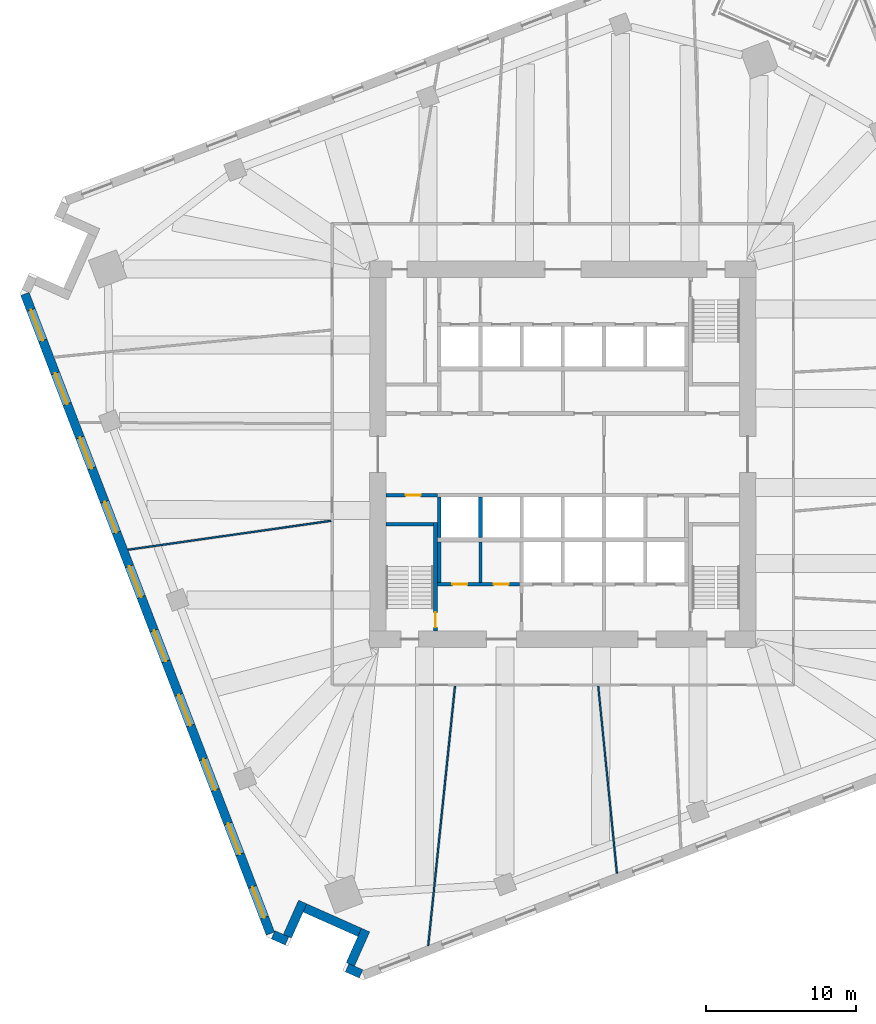
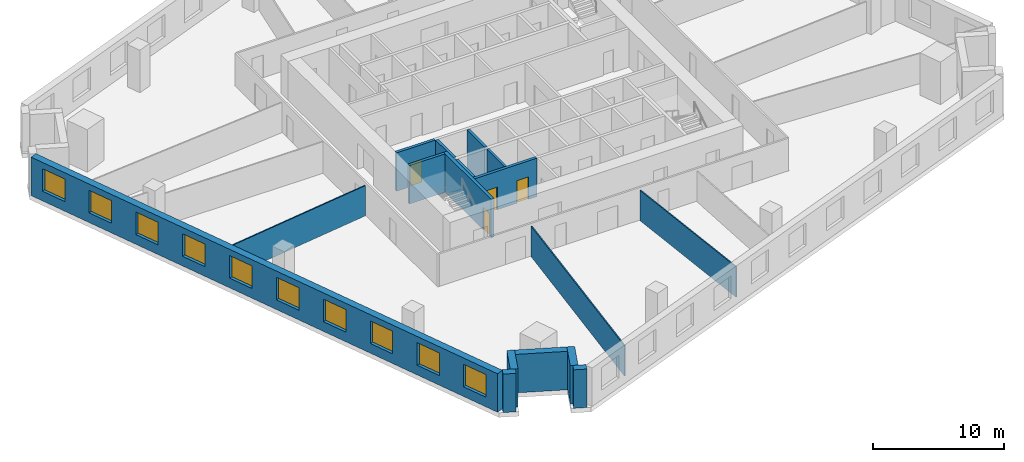
# One storey, part 7 of 14: 17 walls, 10 windows, 4 doors, 14 openings.
"""IFC4 building model written with IfcOpenShell, lengths in metres."""

from ifc_helpers import new_model, si_unit, direction, frame, frame_2d, origin, place, context, subcontext, project, spatial, rectangle, extrude, material, layer, layer_set, type_object, element, fill, save


model = new_model("IFC4")

# Units and contexts
model_context = context("Model", 3, precision=1e-05, world=origin(), true_north=direction((0.0, 1.0)))
body_context = subcontext(model_context, "Body", "Model", "MODEL_VIEW")
ifc_project = project(units=[si_unit("LENGTHUNIT", "METRE"), si_unit("AREAUNIT", "SQUARE_METRE"), si_unit("VOLUMEUNIT", "CUBIC_METRE"), si_unit("PLANEANGLEUNIT", "RADIAN"), si_unit("MASSUNIT", "GRAM", prefix="KILO")], contexts=[model_context])

# Site, building, storey
site_placement = place(None, origin())
site = spatial("IfcSite", under=ifc_project, at=site_placement, CompositionType="ELEMENT")
building_placement = place(site_placement, origin())
building = spatial("IfcBuilding", under=site, at=building_placement, Name="Dilmun Exchange Tower", CompositionType="ELEMENT")
storey_placement = place(building_placement, frame((0.0, 0.0, 102.10009765625)))
storey = spatial("IfcBuildingStorey", under=building, at=storey_placement, Name="L23", CompositionType="ELEMENT", Elevation=102.10009765625)

# Wall
ifc_material_1 = material(Name="Concrete C40/50", Category="concrete")
ifc_layer_1 = layer(ifc_material_1, 0.199951171875)
ifc_layer_set_1 = layer_set([ifc_layer_1], Name="Concrete C40/50")
wall_type_1 = type_object("IfcWallType", Name="Core partition wall 200", PredefinedType="PARTITIONING", material=ifc_layer_set_1)
wall_1_placement = place(storey_placement, frame((-5.5, -8.544921875, 0.0), z_axis=(0.0, 0.0, 1.0), x_axis=(0.0, 1.0, 0.0)))
element("IfcWall", 1, at=wall_1_placement, inside=storey, type_object=wall_type_1, Name="L23 core partition wall 05", PredefinedType="PARTITIONING", context=body_context, shape_type="SweptSolid", body=[
    extrude(rectangle(XDim=2.68994140625, YDim=0.199951171875, at=frame_2d((1.344970703125, 0.0))), origin(), (0.0, 0.0, 1.0), 3.579833984375),
])

# Wall, openings, doors
ifc_layer_2 = layer(ifc_material_1, 0.25)
ifc_layer_set_2 = layer_set([ifc_layer_2], Name="Concrete C40/50")
wall_type_2 = type_object("IfcWallType", Name="Core partition wall 250", PredefinedType="PARTITIONING", material=ifc_layer_set_2)
wall_2_placement = place(storey_placement, frame((-8.3701171875, -8.675048828125, 0.0), z_axis=(0.0, 0.0, 1.0), x_axis=(1.0, 0.0, 0.0)))
wall_2 = element("IfcWall", 2, at=wall_2_placement, inside=storey, type_object=wall_type_2, Name="L23 core partition wall 03", PredefinedType="PARTITIONING", context=body_context, shape_type="SweptSolid", body=[
    extrude(rectangle(XDim=5.490234375, YDim=0.25, at=frame_2d((2.7451171875, 0.0))), origin(), (0.0, 0.0, 1.0), 3.579833984375),
])
opening_1_placement = place(wall_2_placement, frame((0.9951171875, 0.0, 0.0)))
opening_1 = element("IfcOpeningElement", 3, at=opening_1_placement, cuts=wall_2, Name="Opening CD4", PredefinedType="OPENING", context=body_context, shape_type="SweptSolid", body=[
    extrude(rectangle(XDim=1.0, YDim=2.10009765625, at=frame_2d((0.5, 1.050048828125))), frame((0.0, 0.135009765625, 0.0), z_axis=(0.0, -1.0, 0.0), x_axis=(1.0, 0.0, 0.0)), (0.0, 0.0, 1.0), 0.27001953125),
])
opening_2_placement = place(wall_2_placement, frame((3.7451171875, 0.0, 0.0)))
opening_2 = element("IfcOpeningElement", 4, at=opening_2_placement, cuts=wall_2, Name="Opening CD4", PredefinedType="OPENING", context=body_context, shape_type="SweptSolid", body=[
    extrude(rectangle(XDim=1.0, YDim=2.10009765625, at=frame_2d((0.5, 1.050048828125))), frame((0.0, 0.135009765625, 0.0), z_axis=(0.0, -1.0, 0.0), x_axis=(1.0, 0.0, 0.0)), (0.0, 0.0, 1.0), 0.27001953125),
])
ifc_material_2 = material(Name="Fire-rated steel door set", Category="steel")
door_type = type_object("IfcDoorType", Name="Core room door 1000x2100", OperationType="SINGLE_SWING_LEFT", PredefinedType="DOOR", material=ifc_material_2)
door_1_placement = place(opening_1_placement, origin())
door_1 = element("IfcDoor", 5, at=door_1_placement, inside=storey, type_object=door_type, Name="L23 door Male WC", OperationType="SINGLE_SWING_RIGHT", OverallHeight=2.10009765625, OverallWidth=1.0, PredefinedType="DOOR", context=body_context, shape_type="SweptSolid", body=[
    extrude(rectangle(XDim=1.0, YDim=2.10009765625, at=frame_2d((0.5, 1.050048828125))), frame((0.0, 0.02490234375, 0.0), z_axis=(0.0, -1.0, 0.0), x_axis=(1.0, 0.0, 0.0)), (0.0, 0.0, 1.0), 0.050048828125),
])
fill(opening_1, door_1)
door_2_placement = place(opening_2_placement, origin())
door_2 = element("IfcDoor", 6, at=door_2_placement, inside=storey, type_object=door_type, Name="L23 door Female WC", OperationType="SINGLE_SWING_RIGHT", OverallHeight=2.10009765625, OverallWidth=1.0, PredefinedType="DOOR", context=body_context, shape_type="SweptSolid", body=[
    extrude(rectangle(XDim=1.0, YDim=2.10009765625, at=frame_2d((0.5, 1.050048828125))), frame((0.0, 0.02490234375, 0.0), z_axis=(0.0, -1.0, 0.0), x_axis=(1.0, 0.0, 0.0)), (0.0, 0.0, 1.0), 0.050048828125),
])
fill(opening_2, door_2)

# Wall
wall_3_placement = place(storey_placement, frame((-8.25, -8.544921875, 0.0), z_axis=(0.0, 0.0, 1.0), x_axis=(0.0, 1.0, 0.0)))
element("IfcWall", 7, at=wall_3_placement, inside=storey, type_object=wall_type_2, Name="L23 core partition wall 04", PredefinedType="PARTITIONING", context=body_context, shape_type="SweptSolid", body=[
    extrude(rectangle(XDim=2.68994140625, YDim=0.25, at=frame_2d((1.344970703125, 0.0))), origin(), (0.0, 0.0, 1.0), 3.579833984375),
])

# Wall, opening, door
wall_4_placement = place(storey_placement, frame((-11.794921875, -2.72509765625, 0.0), z_axis=(0.0, 0.0, 1.0), x_axis=(1.0, 0.0, 0.0)))
wall_4 = element("IfcWall", 8, at=wall_4_placement, inside=storey, type_object=wall_type_2, Name="L23 core partition wall 07", PredefinedType="PARTITIONING", context=body_context, shape_type="SweptSolid", body=[
    extrude(rectangle(XDim=3.4150390625, YDim=0.25, at=frame_2d((1.70751953125, 0.0))), origin(), (0.0, 0.0, 1.0), 3.579833984375),
])
opening_3_placement = place(wall_4_placement, frame((1.294921875, 0.0, 0.0)))
opening_3 = element("IfcOpeningElement", 9, at=opening_3_placement, cuts=wall_4, Name="Opening CD4", PredefinedType="OPENING", context=body_context, shape_type="SweptSolid", body=[
    extrude(rectangle(XDim=1.0, YDim=2.10009765625, at=frame_2d((0.5, 1.050048828125))), frame((0.0, 0.135009765625, 0.0), z_axis=(0.0, -1.0, 0.0), x_axis=(1.0, 0.0, 0.0)), (0.0, 0.0, 1.0), 0.27001953125),
])
door_3_placement = place(opening_3_placement, origin())
door_3 = element("IfcDoor", 10, at=door_3_placement, inside=storey, type_object=door_type, Name="L23 door Accessible WC", OperationType="SINGLE_SWING_RIGHT", OverallHeight=2.10009765625, OverallWidth=1.0, PredefinedType="DOOR", context=body_context, shape_type="SweptSolid", body=[
    extrude(rectangle(XDim=1.0, YDim=2.10009765625, at=frame_2d((0.5, 1.050048828125))), frame((0.0, 0.02490234375, 0.0), z_axis=(0.0, -1.0, 0.0), x_axis=(1.0, 0.0, 0.0)), (0.0, 0.0, 1.0), 0.050048828125),
])
fill(opening_3, door_3)

# Walls
ifc_layer_3 = layer(ifc_material_1, 0.25)
ifc_layer_set_3 = layer_set([ifc_layer_3], Name="Concrete C40/50")
wall_type_3 = type_object("IfcWallType", Name="Lift shaft wall 250", PredefinedType="SOLIDWALL", material=ifc_layer_set_3)
for number, where, z_axis, x_axis, name in (
    (11, (-8.25, -5.550048828125, 0.0), (0.0, 0.0, 1.0), (0.0, 1.0, 0.0), "L23 lift shaft divider S10"),
    (12, (-5.5, -5.550048828125, 0.0), (0.0, 0.0, 1.0), (0.0, 1.0, 0.0), "L23 lift shaft divider S11"),
):
    element("IfcWall", number, at=place(storey_placement, frame(where, z_axis=z_axis, x_axis=x_axis)), inside=storey, type_object=wall_type_3, Name=name, PredefinedType="SOLIDWALL", context=body_context, shape_type="SweptSolid", body=[
        extrude(rectangle(XDim=2.699951171875, YDim=0.25, at=frame_2d((1.35009765625, 0.0))), origin(), (0.0, 0.0, 1.0), 3.579833984375),
    ])
ifc_material_3 = material(Name="Partition 100")
ifc_layer_4 = layer(ifc_material_3, 0.10009765625)
ifc_layer_set_4 = layer_set([ifc_layer_4], Name="Partition 100")
wall_type_4 = type_object("IfcWallType", Name="Partition 100", PredefinedType="PARTITIONING", material=ifc_layer_set_4)
wall_5_placement = place(storey_placement, frame((-29.04443359375, -6.369873046875, 0.0), z_axis=(0.0, 0.0, 1.0), x_axis=(0.990003953949, 0.141039608496, 0.0)))
element("IfcWall", 13, at=wall_5_placement, inside=storey, type_object=wall_type_4, Name="Partition", PredefinedType="PARTITIONING", context=body_context, shape_type="SweptSolid", body=[
    extrude(rectangle(XDim=13.69921875, YDim=0.10009765625, at=frame_2d((6.849609375, 0.0))), origin(), (0.0, 0.0, 1.0), 2.829833984375),
])
wall_6_placement = place(storey_placement, frame((-8.99267578125, -32.79931640625, 0.0), z_axis=(0.0, 0.0, 1.0), x_axis=(0.102654687672, 0.994717052784, 0.0)))
element("IfcWall", 14, at=wall_6_placement, inside=storey, type_object=wall_type_4, Name="Partition", PredefinedType="PARTITIONING", context=body_context, shape_type="SweptSolid", body=[
    extrude(rectangle(XDim=17.411376953125, YDim=0.10009765625, at=frame_2d((8.70556640625, 0.0))), origin(), (0.0, 0.0, 1.0), 2.829833984375),
])
wall_7_placement = place(storey_placement, frame((2.360107421875, -15.47998046875, 0.0), z_axis=(0.0, 0.0, 1.0), x_axis=(0.099470960922, -0.995040465475, 0.0)))
element("IfcWall", 15, at=wall_7_placement, inside=storey, type_object=wall_type_4, Name="Partition", PredefinedType="PARTITIONING", context=body_context, shape_type="SweptSolid", body=[
    extrude(rectangle(XDim=12.54443359375, YDim=0.10009765625, at=frame_2d((6.272216796875, 0.0))), origin(), (0.0, 0.0, 1.0), 2.829833984375),
])

# Wall, openings, windows
ifc_material_4 = material(Name="Precast concrete C50/60", Category="concrete")
ifc_layer_5 = layer(ifc_material_4, 0.60009765625)
ifc_layer_set_5 = layer_set([ifc_layer_5], Name="Precast concrete C50/60")
wall_type_5 = type_object("IfcWallType", Name="Precast stone-clad wall 600", PredefinedType="STANDARD", material=ifc_layer_set_5)
wall_8_placement = place(storey_placement, frame((-35.92529296875, 10.712890625, 0.0), z_axis=(0.0, 0.0, 1.0), x_axis=(0.358368969683, -0.933580034902, 0.0)))
wall_8 = element("IfcWall", 16, at=wall_8_placement, inside=storey, type_object=wall_type_5, Name="Facade wall L23-09", PredefinedType="STANDARD", context=body_context, shape_type="SweptSolid", body=[
    extrude(rectangle(XDim=45.751708984375, YDim=0.60009765625, at=frame_2d((22.8759765625, 0.0))), origin(), (0.0, 0.0, 1.0), 3.579833984375),
])
opening_4_placement = place(wall_8_placement, frame((1.137939453125, 0.0, 0.89990234375)))
opening_4 = element("IfcOpeningElement", 17, at=opening_4_placement, cuts=wall_8, Name="Opening W220-210", PredefinedType="OPENING", context=body_context, shape_type="SweptSolid", body=[
    extrude(rectangle(XDim=2.199951171875, YDim=2.10009765625, at=frame_2d((1.10009765625, 1.050048828125))), frame((0.0, 0.31005859375, 0.0), z_axis=(0.0, -1.0, 0.0), x_axis=(1.0, 0.0, 0.0)), (0.0, 0.0, 1.0), 0.6201171875),
])
opening_5_placement = place(wall_8_placement, frame((5.67578125, 0.0, 0.89990234375)))
opening_5 = element("IfcOpeningElement", 18, at=opening_5_placement, cuts=wall_8, Name="Opening W220-210", PredefinedType="OPENING", context=body_context, shape_type="SweptSolid", body=[
    extrude(rectangle(XDim=2.199951171875, YDim=2.10009765625, at=frame_2d((1.10009765625, 1.050048828125))), frame((0.0, 0.31005859375, 0.0), z_axis=(0.0, -1.0, 0.0), x_axis=(1.0, 0.0, 0.0)), (0.0, 0.0, 1.0), 0.6201171875),
])
opening_6_placement = place(wall_8_placement, frame((10.275634765625, 0.0, 0.89990234375)))
opening_6 = element("IfcOpeningElement", 19, at=opening_6_placement, cuts=wall_8, Name="Opening W220-210", PredefinedType="OPENING", context=body_context, shape_type="SweptSolid", body=[
    extrude(rectangle(XDim=2.199951171875, YDim=2.10009765625, at=frame_2d((1.10009765625, 1.050048828125))), frame((0.0, 0.31005859375, 0.0), z_axis=(0.0, -1.0, 0.0), x_axis=(1.0, 0.0, 0.0)), (0.0, 0.0, 1.0), 0.6201171875),
])
opening_7_placement = place(wall_8_placement, frame((14.875732421875, 0.0, 0.89990234375)))
opening_7 = element("IfcOpeningElement", 20, at=opening_7_placement, cuts=wall_8, Name="Opening W220-210", PredefinedType="OPENING", context=body_context, shape_type="SweptSolid", body=[
    extrude(rectangle(XDim=2.199951171875, YDim=2.10009765625, at=frame_2d((1.10009765625, 1.050048828125))), frame((0.0, 0.31005859375, 0.0), z_axis=(0.0, -1.0, 0.0), x_axis=(1.0, 0.0, 0.0)), (0.0, 0.0, 1.0), 0.6201171875),
])
opening_8_placement = place(wall_8_placement, frame((19.4755859375, 0.0, 0.89990234375)))
opening_8 = element("IfcOpeningElement", 21, at=opening_8_placement, cuts=wall_8, Name="Opening W220-210", PredefinedType="OPENING", context=body_context, shape_type="SweptSolid", body=[
    extrude(rectangle(XDim=2.199951171875, YDim=2.10009765625, at=frame_2d((1.10009765625, 1.050048828125))), frame((0.0, 0.31005859375, 0.0), z_axis=(0.0, -1.0, 0.0), x_axis=(1.0, 0.0, 0.0)), (0.0, 0.0, 1.0), 0.6201171875),
])
opening_9_placement = place(wall_8_placement, frame((24.07568359375, 0.0, 0.89990234375)))
opening_9 = element("IfcOpeningElement", 22, at=opening_9_placement, cuts=wall_8, Name="Opening W220-210", PredefinedType="OPENING", context=body_context, shape_type="SweptSolid", body=[
    extrude(rectangle(XDim=2.199951171875, YDim=2.10009765625, at=frame_2d((1.10009765625, 1.050048828125))), frame((0.0, 0.31005859375, 0.0), z_axis=(0.0, -1.0, 0.0), x_axis=(1.0, 0.0, 0.0)), (0.0, 0.0, 1.0), 0.6201171875),
])
opening_10_placement = place(wall_8_placement, frame((28.67578125, 0.0, 0.89990234375)))
opening_10 = element("IfcOpeningElement", 23, at=opening_10_placement, cuts=wall_8, Name="Opening W220-210", PredefinedType="OPENING", context=body_context, shape_type="SweptSolid", body=[
    extrude(rectangle(XDim=2.199951171875, YDim=2.10009765625, at=frame_2d((1.10009765625, 1.050048828125))), frame((0.0, 0.31005859375, 0.0), z_axis=(0.0, -1.0, 0.0), x_axis=(1.0, 0.0, 0.0)), (0.0, 0.0, 1.0), 0.6201171875),
])
opening_11_placement = place(wall_8_placement, frame((33.275634765625, 0.0, 0.89990234375)))
opening_11 = element("IfcOpeningElement", 24, at=opening_11_placement, cuts=wall_8, Name="Opening W220-210", PredefinedType="OPENING", context=body_context, shape_type="SweptSolid", body=[
    extrude(rectangle(XDim=2.199951171875, YDim=2.10009765625, at=frame_2d((1.10009765625, 1.050048828125))), frame((0.0, 0.31005859375, 0.0), z_axis=(0.0, -1.0, 0.0), x_axis=(1.0, 0.0, 0.0)), (0.0, 0.0, 1.0), 0.6201171875),
])
opening_12_placement = place(wall_8_placement, frame((37.875732421875, 0.0, 0.89990234375)))
opening_12 = element("IfcOpeningElement", 25, at=opening_12_placement, cuts=wall_8, Name="Opening W220-210", PredefinedType="OPENING", context=body_context, shape_type="SweptSolid", body=[
    extrude(rectangle(XDim=2.199951171875, YDim=2.10009765625, at=frame_2d((1.10009765625, 1.050048828125))), frame((0.0, 0.31005859375, 0.0), z_axis=(0.0, -1.0, 0.0), x_axis=(1.0, 0.0, 0.0)), (0.0, 0.0, 1.0), 0.6201171875),
])
opening_13_placement = place(wall_8_placement, frame((42.41357421875, 0.0, 0.89990234375)))
opening_13 = element("IfcOpeningElement", 26, at=opening_13_placement, cuts=wall_8, Name="Opening W220-210", PredefinedType="OPENING", context=body_context, shape_type="SweptSolid", body=[
    extrude(rectangle(XDim=2.199951171875, YDim=2.10009765625, at=frame_2d((1.10009765625, 1.050048828125))), frame((0.0, 0.31005859375, 0.0), z_axis=(0.0, -1.0, 0.0), x_axis=(1.0, 0.0, 0.0)), (0.0, 0.0, 1.0), 0.6201171875),
])
ifc_material_5 = material(Name="Clear low-emissivity glass in aluminium frame", Category="aluminium")
window_type = type_object("IfcWindowType", Name="Punched window 2200 x 2100", PartitioningType="DOUBLE_PANEL_VERTICAL", PredefinedType="WINDOW", material=ifc_material_5)
window_1_placement = place(opening_4_placement, origin())
window_1 = element("IfcWindow", 27, at=window_1_placement, inside=storey, type_object=window_type, Name="Window 10.1", OverallHeight=2.10009765625, OverallWidth=2.199951171875, PartitioningType="SINGLE_PANEL", PredefinedType="WINDOW", context=body_context, shape_type="SweptSolid", body=[
    extrude(rectangle(XDim=2.199951171875, YDim=2.10009765625, at=frame_2d((1.10009765625, 1.050048828125))), frame((0.0, 0.030029296875, 0.0), z_axis=(0.0, -1.0, 0.0), x_axis=(1.0, 0.0, 0.0)), (0.0, 0.0, 1.0), 0.06005859375),
])
fill(opening_4, window_1)
window_2_placement = place(opening_5_placement, origin())
window_2 = element("IfcWindow", 28, at=window_2_placement, inside=storey, type_object=window_type, Name="Window 10.2", OverallHeight=2.10009765625, OverallWidth=2.199951171875, PartitioningType="SINGLE_PANEL", PredefinedType="WINDOW", context=body_context, shape_type="SweptSolid", body=[
    extrude(rectangle(XDim=2.199951171875, YDim=2.10009765625, at=frame_2d((1.10009765625, 1.050048828125))), frame((0.0, 0.030029296875, 0.0), z_axis=(0.0, -1.0, 0.0), x_axis=(1.0, 0.0, 0.0)), (0.0, 0.0, 1.0), 0.06005859375),
])
fill(opening_5, window_2)
window_3_placement = place(opening_6_placement, origin())
window_3 = element("IfcWindow", 29, at=window_3_placement, inside=storey, type_object=window_type, Name="Window 10.3", OverallHeight=2.10009765625, OverallWidth=2.199951171875, PartitioningType="SINGLE_PANEL", PredefinedType="WINDOW", context=body_context, shape_type="SweptSolid", body=[
    extrude(rectangle(XDim=2.199951171875, YDim=2.10009765625, at=frame_2d((1.10009765625, 1.050048828125))), frame((0.0, 0.030029296875, 0.0), z_axis=(0.0, -1.0, 0.0), x_axis=(1.0, 0.0, 0.0)), (0.0, 0.0, 1.0), 0.06005859375),
])
fill(opening_6, window_3)
window_4_placement = place(opening_7_placement, origin())
window_4 = element("IfcWindow", 30, at=window_4_placement, inside=storey, type_object=window_type, Name="Window 10.4", OverallHeight=2.10009765625, OverallWidth=2.199951171875, PartitioningType="SINGLE_PANEL", PredefinedType="WINDOW", context=body_context, shape_type="SweptSolid", body=[
    extrude(rectangle(XDim=2.199951171875, YDim=2.10009765625, at=frame_2d((1.10009765625, 1.050048828125))), frame((0.0, 0.030029296875, 0.0), z_axis=(0.0, -1.0, 0.0), x_axis=(1.0, 0.0, 0.0)), (0.0, 0.0, 1.0), 0.06005859375),
])
fill(opening_7, window_4)
window_5_placement = place(opening_8_placement, origin())
window_5 = element("IfcWindow", 31, at=window_5_placement, inside=storey, type_object=window_type, Name="Window 10.5", OverallHeight=2.10009765625, OverallWidth=2.199951171875, PartitioningType="SINGLE_PANEL", PredefinedType="WINDOW", context=body_context, shape_type="SweptSolid", body=[
    extrude(rectangle(XDim=2.199951171875, YDim=2.10009765625, at=frame_2d((1.10009765625, 1.050048828125))), frame((0.0, 0.030029296875, 0.0), z_axis=(0.0, -1.0, 0.0), x_axis=(1.0, 0.0, 0.0)), (0.0, 0.0, 1.0), 0.06005859375),
])
fill(opening_8, window_5)
window_6_placement = place(opening_9_placement, origin())
window_6 = element("IfcWindow", 32, at=window_6_placement, inside=storey, type_object=window_type, Name="Window 10.6", OverallHeight=2.10009765625, OverallWidth=2.199951171875, PartitioningType="SINGLE_PANEL", PredefinedType="WINDOW", context=body_context, shape_type="SweptSolid", body=[
    extrude(rectangle(XDim=2.199951171875, YDim=2.10009765625, at=frame_2d((1.10009765625, 1.050048828125))), frame((0.0, 0.030029296875, 0.0), z_axis=(0.0, -1.0, 0.0), x_axis=(1.0, 0.0, 0.0)), (0.0, 0.0, 1.0), 0.06005859375),
])
fill(opening_9, window_6)
window_7_placement = place(opening_10_placement, origin())
window_7 = element("IfcWindow", 33, at=window_7_placement, inside=storey, type_object=window_type, Name="Window 10.7", OverallHeight=2.10009765625, OverallWidth=2.199951171875, PartitioningType="SINGLE_PANEL", PredefinedType="WINDOW", context=body_context, shape_type="SweptSolid", body=[
    extrude(rectangle(XDim=2.199951171875, YDim=2.10009765625, at=frame_2d((1.10009765625, 1.050048828125))), frame((0.0, 0.030029296875, 0.0), z_axis=(0.0, -1.0, 0.0), x_axis=(1.0, 0.0, 0.0)), (0.0, 0.0, 1.0), 0.06005859375),
])
fill(opening_10, window_7)
window_8_placement = place(opening_11_placement, origin())
window_8 = element("IfcWindow", 34, at=window_8_placement, inside=storey, type_object=window_type, Name="Window 10.8", OverallHeight=2.10009765625, OverallWidth=2.199951171875, PartitioningType="SINGLE_PANEL", PredefinedType="WINDOW", context=body_context, shape_type="SweptSolid", body=[
    extrude(rectangle(XDim=2.199951171875, YDim=2.10009765625, at=frame_2d((1.10009765625, 1.050048828125))), frame((0.0, 0.030029296875, 0.0), z_axis=(0.0, -1.0, 0.0), x_axis=(1.0, 0.0, 0.0)), (0.0, 0.0, 1.0), 0.06005859375),
])
fill(opening_11, window_8)
window_9_placement = place(opening_12_placement, origin())
window_9 = element("IfcWindow", 35, at=window_9_placement, inside=storey, type_object=window_type, Name="Window 10.9", OverallHeight=2.10009765625, OverallWidth=2.199951171875, PartitioningType="SINGLE_PANEL", PredefinedType="WINDOW", context=body_context, shape_type="SweptSolid", body=[
    extrude(rectangle(XDim=2.199951171875, YDim=2.10009765625, at=frame_2d((1.10009765625, 1.050048828125))), frame((0.0, 0.030029296875, 0.0), z_axis=(0.0, -1.0, 0.0), x_axis=(1.0, 0.0, 0.0)), (0.0, 0.0, 1.0), 0.06005859375),
])
fill(opening_12, window_9)
window_10_placement = place(opening_13_placement, origin())
window_10 = element("IfcWindow", 36, at=window_10_placement, inside=storey, type_object=window_type, Name="Window 10.10", OverallHeight=2.10009765625, OverallWidth=2.199951171875, PartitioningType="SINGLE_PANEL", PredefinedType="WINDOW", context=body_context, shape_type="SweptSolid", body=[
    extrude(rectangle(XDim=2.199951171875, YDim=2.10009765625, at=frame_2d((1.10009765625, 1.050048828125))), frame((0.0, 0.030029296875, 0.0), z_axis=(0.0, -1.0, 0.0), x_axis=(1.0, 0.0, 0.0)), (0.0, 0.0, 1.0), 0.06005859375),
])
fill(opening_13, window_10)

# Walls
wall_9_placement = place(storey_placement, frame((-19.3466796875, -32.081298828125, 0.0), z_axis=(0.0, 0.0, 1.0), x_axis=(0.913612312282, -0.406586451872, 0.0)))
element("IfcWall", 37, at=wall_9_placement, inside=storey, type_object=wall_type_5, Name="Facade wall L23-10", PredefinedType="STANDARD", context=body_context, shape_type="SweptSolid", body=[
    extrude(rectangle(XDim=1.01123046875, YDim=0.60009765625, at=frame_2d((0.505615234375, 0.0))), origin(), (0.0, 0.0, 1.0), 3.579833984375),
])
wall_10_placement = place(storey_placement, frame((-18.39208984375, -32.177734375, 0.0), z_axis=(0.0, 0.0, 1.0), x_axis=(0.406727323635, 0.913549606868, 0.0)))
element("IfcWall", 38, at=wall_10_placement, inside=storey, type_object=wall_type_5, Name="Facade wall L23-11", PredefinedType="STANDARD", context=body_context, shape_type="SweptSolid", body=[
    extrude(rectangle(XDim=2.5, YDim=0.60009765625, at=frame_2d((1.25, 0.0))), origin(), (0.0, 0.0, 1.0), 3.579833984375),
])
wall_11_placement = place(storey_placement, frame((-17.223388671875, -30.2900390625, 0.0), z_axis=(0.0, 0.0, 1.0), x_axis=(0.913549606868, -0.406727323635, 0.0)))
element("IfcWall", 39, at=wall_11_placement, inside=storey, type_object=wall_type_5, Name="Facade wall L23-12", PredefinedType="STANDARD", context=body_context, shape_type="SweptSolid", body=[
    extrude(rectangle(XDim=4.0, YDim=0.60009765625, at=frame_2d((2.0, 0.0))), origin(), (0.0, 0.0, 1.0), 3.579833984375),
])
wall_12_placement = place(storey_placement, frame((-13.173095703125, -31.764892578125, 0.0), z_axis=(0.0, 0.0, 1.0), x_axis=(-0.406727323635, -0.913549606868, 0.0)))
element("IfcWall", 40, at=wall_12_placement, inside=storey, type_object=wall_type_5, Name="Facade wall L23-13", PredefinedType="STANDARD", context=body_context, shape_type="SweptSolid", body=[
    extrude(rectangle(XDim=2.5, YDim=0.60009765625, at=frame_2d((1.25, 0.0))), origin(), (0.0, 0.0, 1.0), 3.579833984375),
])
wall_13_placement = place(storey_placement, frame((-14.4033203125, -34.2822265625, 0.0), z_axis=(0.0, 0.0, 1.0), x_axis=(0.913522612657, -0.406787949875, 0.0)))
element("IfcWall", 41, at=wall_13_placement, inside=storey, type_object=wall_type_5, Name="Facade wall L23-14", PredefinedType="STANDARD", context=body_context, shape_type="SweptSolid", body=[
    extrude(rectangle(XDim=1.01123046875, YDim=0.60009765625, at=frame_2d((0.505615234375, 0.0))), origin(), (0.0, 0.0, 1.0), 3.579833984375),
])
ifc_layer_6 = layer(ifc_material_1, 0.25)
ifc_layer_set_6 = layer_set([ifc_layer_6], Name="Concrete C40/50")
wall_type_6 = type_object("IfcWallType", Name="Stair end wall 250", PredefinedType="SOLIDWALL", material=ifc_layer_set_6)
wall_14_placement = place(storey_placement, frame((-8.64990234375, -4.675048828125, 0.0), z_axis=(0.0, 0.0, 1.0), x_axis=(-1.0, 0.0, 0.0)))
element("IfcWall", 42, at=wall_14_placement, inside=storey, type_object=wall_type_6, Name="L23 ST2 far wall", PredefinedType="SOLIDWALL", context=body_context, shape_type="SweptSolid", body=[
    extrude(rectangle(XDim=3.150146484375, YDim=0.25, at=frame_2d((1.5751953125, 0.0))), origin(), (0.0, 0.0, 1.0), 3.579833984375),
])

# Wall, opening, door
ifc_layer_7 = layer(ifc_material_1, 0.27490234375)
ifc_layer_set_7 = layer_set([ifc_layer_7], Name="Concrete C40/50")
wall_type_7 = type_object("IfcWallType", Name="Stair wall 275", PredefinedType="SOLIDWALL", material=ifc_layer_set_7)
wall_15_placement = place(storey_placement, frame((-8.512451171875, -4.550048828125, 0.0), z_axis=(0.0, 0.0, 1.0), x_axis=(0.0, -1.0, 0.0)))
wall_15 = element("IfcWall", 43, at=wall_15_placement, inside=storey, type_object=wall_type_7, Name="L23 ST2 wall to lift block", PredefinedType="SOLIDWALL", context=body_context, shape_type="SweptSolid", body=[
    extrude(rectangle(XDim=7.25, YDim=0.27490234375, at=frame_2d((3.625, 0.0))), origin(), (0.0, 0.0, 1.0), 3.579833984375),
])
opening_14_placement = place(wall_15_placement, frame((6.0, 0.0, 0.0)))
opening_14 = element("IfcOpeningElement", 44, at=opening_14_placement, cuts=wall_15, Name="Opening CD4", PredefinedType="OPENING", context=body_context, shape_type="SweptSolid", body=[
    extrude(rectangle(XDim=1.0, YDim=2.10009765625, at=frame_2d((0.5, 1.050048828125))), frame((0.0, 0.1474609375, 0.0), z_axis=(0.0, -1.0, 0.0), x_axis=(1.0, 0.0, 0.0)), (0.0, 0.0, 1.0), 0.294921875),
])
door_4_placement = place(opening_14_placement, origin())
door_4 = element("IfcDoor", 45, at=door_4_placement, inside=storey, type_object=door_type, Name="L23 door ST2 from lobby", OperationType="SINGLE_SWING_LEFT", OverallHeight=2.10009765625, OverallWidth=1.0, PredefinedType="DOOR", context=body_context, shape_type="SweptSolid", body=[
    extrude(rectangle(XDim=1.0, YDim=2.10009765625, at=frame_2d((0.5, 1.050048828125))), frame((0.0, 0.02490234375, 0.0), z_axis=(0.0, -1.0, 0.0), x_axis=(1.0, 0.0, 0.0)), (0.0, 0.0, 1.0), 0.050048828125),
])
fill(opening_14, door_4)

save(model, "model.ifc")
